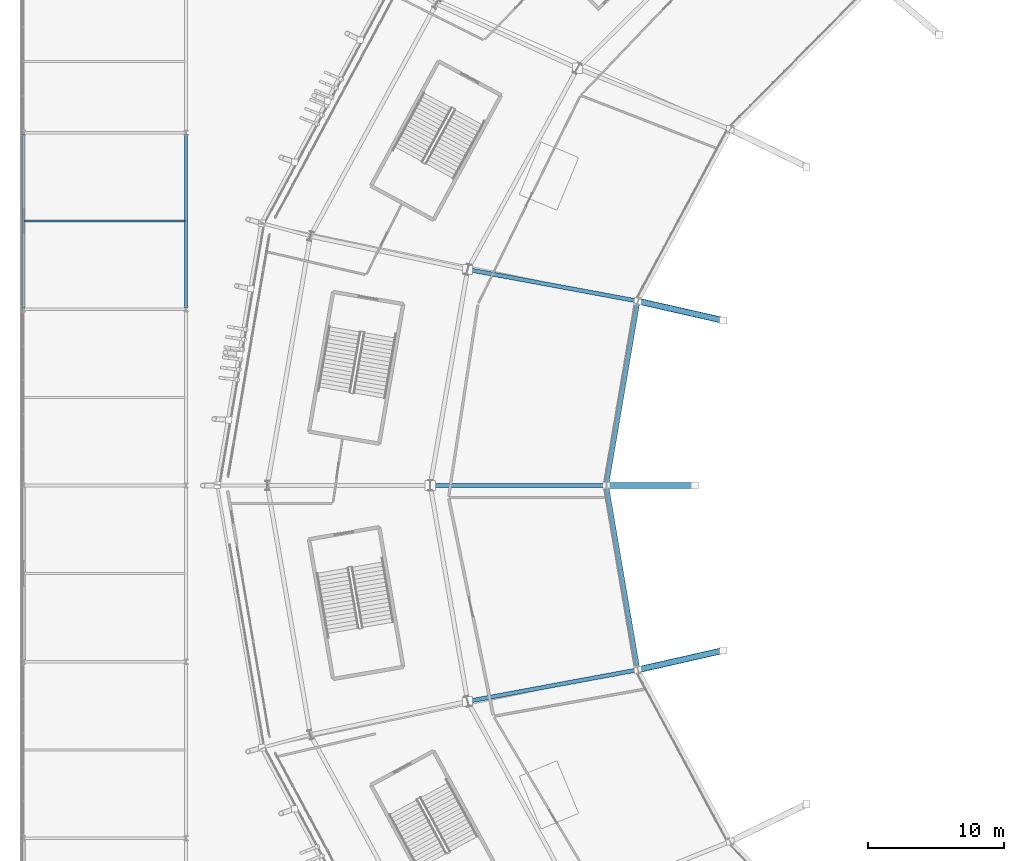
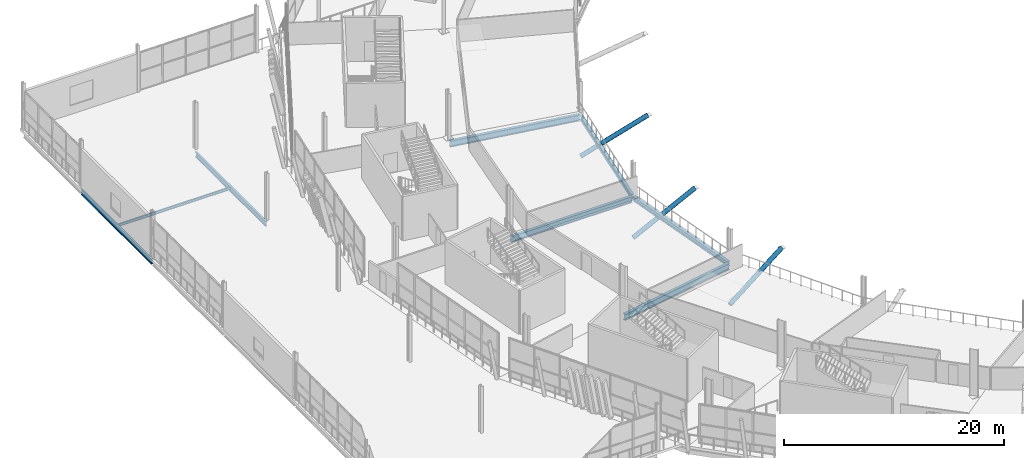
# One storey, part 39 of 168: 8 beams, 3 members.
"""IFC4 building model written with IfcOpenShell, lengths in metres."""

import ifcopenshell
import ifcopenshell.guid

model = None  # the IFC model being written
_history = None  # IfcOwnerHistory: only IFC2X3 demands one
_inside = {}  # id of a spatial element -> (the spatial element, [elements in it])
_under = {}  # id of a project, library or spatial element -> (it, [spatial elements below it])
_declared = {}  # id of a project -> (the project, [libraries it declares])
_typed = {}  # id of a type object -> (the type object, [elements of that type])
_made_of = {}  # id of a material, layer set ... -> (it, [elements and type objects made of it])


def new_model(schema):
    """Start an empty IFC model of exactly this schema.

    Asked for "IFC4X3", IfcOpenShell would pick the latest addendum, in which some entities
    have other attributes; the version numbers below select the first issue.
    IFC2X3 requires an IfcOwnerHistory on every rooted entity: one is made here for all.
    """
    global model, _history
    if schema == "IFC4X3":
        model = ifcopenshell.file(schema_version=(4, 3, 0, 0))
    else:
        model = ifcopenshell.file(schema=schema)
    _inside.clear()
    _under.clear()
    _declared.clear()
    _typed.clear()
    _made_of.clear()
    _history = None
    if model.schema == "IFC2X3":
        org = make("IfcOrganization", Name="unknown")
        user = make(
            "IfcPersonAndOrganization",
            ThePerson=make("IfcPerson", FamilyName="unknown"),
            TheOrganization=org,
        )
        app = make(
            "IfcApplication",
            ApplicationDeveloper=org,
            Version="unknown",
            ApplicationFullName="unknown",
            ApplicationIdentifier="unknown",
        )
        _history = make(
            "IfcOwnerHistory",
            OwningUser=user,
            OwningApplication=app,
            ChangeAction="ADDED",
            CreationDate=0,
        )
    return model


def make(cls, **values):
    """One entity of the class cls with the attributes given. An attribute that is None is left unset."""
    return model.create_entity(
        cls, **{name: value for name, value in values.items() if value is not None}
    )


def rooted(cls, **values):
    """An entity with a GlobalId (a new one), such as an element, a storey or a relation."""
    return make(cls, GlobalId=ifcopenshell.guid.new(), OwnerHistory=_history, **values)


def si_unit(unit_type, name, prefix=None):
    """IfcSIUnit, for example si_unit("LENGTHUNIT", "METRE", prefix="MILLI")."""
    return make("IfcSIUnit", UnitType=unit_type, Prefix=prefix, Name=name)


def assignment(units):
    """IfcUnitAssignment: the units of a project."""
    return None if units is None else make("IfcUnitAssignment", Units=units)


def point(xyz):
    """IfcCartesianPoint."""
    return None if xyz is None else make("IfcCartesianPoint", Coordinates=xyz)


def direction(xyz):
    """IfcDirection."""
    return None if xyz is None else make("IfcDirection", DirectionRatios=xyz)


def frame(location, z_axis=None, x_axis=None):
    """IfcAxis2Placement3D, a coordinate frame: its origin and axes. An axis left out is left unset."""
    return make(
        "IfcAxis2Placement3D",
        Location=point(location),
        Axis=direction(z_axis),
        RefDirection=direction(x_axis),
    )


def frame_2d(location, x_axis=None):
    """IfcAxis2Placement2D, a coordinate frame in the plane: its origin and x axis."""
    return make(
        "IfcAxis2Placement2D", Location=point(location), RefDirection=direction(x_axis)
    )


def origin():
    """The frame at (0, 0, 0) with its axes left unset."""
    return frame((0.0, 0.0, 0.0))


def origin_2d():
    """The frame at (0, 0) in the plane with its x axis left unset."""
    return frame_2d((0.0, 0.0))


def place(relative_to, where):
    """IfcLocalPlacement: puts the frame where relative to a parent placement (None: the world)."""
    return make(
        "IfcLocalPlacement", PlacementRelTo=relative_to, RelativePlacement=where
    )


def context(
    kind, dimensions, precision=None, world=None, true_north=None, identifier=None
):
    """IfcGeometricRepresentationContext, for example the 3D "Model" context."""
    return make(
        "IfcGeometricRepresentationContext",
        ContextIdentifier=identifier,
        ContextType=kind,
        CoordinateSpaceDimension=dimensions,
        Precision=precision,
        WorldCoordinateSystem=world,
        TrueNorth=true_north,
    )


def subcontext(parent, identifier, kind, view, scale=None):
    """IfcGeometricRepresentationSubContext, for example "Body" below "Model"."""
    return make(
        "IfcGeometricRepresentationSubContext",
        ContextIdentifier=identifier,
        ContextType=kind,
        ParentContext=parent,
        TargetScale=scale,
        TargetView=view,
    )


def project(units=None, contexts=None):
    """IfcProject with its units and contexts."""
    return rooted(
        "IfcProject",
        Name="project",
        RepresentationContexts=contexts,
        UnitsInContext=assignment(units),
    )


def spatial(cls, under=None, at=None, **own):
    """A site, building, storey or space (cls), placed at a placement, below another one or the project."""
    s = rooted(cls, ObjectPlacement=at, **own)
    if under is not None:
        _under.setdefault(under.id(), (under, []))[1].append(s)
    return s


def profile(cls, at=None, kind="AREA", **sizes):
    """A parametric profile (cls). Its sizes go by their IFC names, for example OverallWidth=200.0."""
    return make(cls, ProfileType=kind, Position=at, **sizes)


def hollow_circle(**sizes):
    """IfcCircleHollowProfileDef."""
    return profile("IfcCircleHollowProfileDef", **sizes)


def i_section(**sizes):
    """IfcIShapeProfileDef."""
    return profile("IfcIShapeProfileDef", **sizes)


def extrude(swept, where, along, depth):
    """IfcExtrudedAreaSolid: the profile swept, set in the frame where, extruded along a direction by depth."""
    return make(
        "IfcExtrudedAreaSolid",
        SweptArea=swept,
        Position=where,
        ExtrudedDirection=direction(along),
        Depth=depth,
    )


def shape(context_of_items, identifier, shape_type, items):
    """IfcShapeRepresentation: the items that make up one representation, for example the "Body"."""
    return make(
        "IfcShapeRepresentation",
        ContextOfItems=context_of_items,
        RepresentationIdentifier=identifier,
        RepresentationType=shape_type,
        Items=items,
    )


def material(Name=None, Category=None):
    """IfcMaterial."""
    return make("IfcMaterial", Name=Name, Category=Category)


def material_profile(
    of_material, cross_section, Name=None, Category=None, Priority=None
):
    """IfcMaterialProfile: a cross section and its material."""
    return make(
        "IfcMaterialProfile",
        Name=Name,
        Material=of_material,
        Profile=cross_section,
        Priority=Priority,
        Category=Category,
    )


def profile_set(profiles, Name=None, composite=None):
    """IfcMaterialProfileSet."""
    return make(
        "IfcMaterialProfileSet",
        Name=Name,
        MaterialProfiles=profiles,
        CompositeProfile=composite,
    )


def made_of(thing, what):
    """Note that an element or type object is made of a material, layer set ...; save() writes the relation."""
    if what is not None:
        _made_of.setdefault(what.id(), (what, []))[1].append(thing)
    return thing


def type_object(cls, material=None, **own):
    """A type object (cls), such as IfcWallType, which elements share."""
    return made_of(rooted(cls, **own), material)


def element(
    cls,
    number,
    at=None,
    inside=None,
    cuts=None,
    type_object=None,
    material=None,
    context=None,
    identifier="Body",
    shape_type=None,
    held_by="IfcProductDefinitionShape",
    body=None,
    shapes=None,
    **own,
):
    """One element of the class cls, such as IfcWall. Its Tag is "e" and its number.

    at: its placement. inside: the storey or other place that contains it. cuts: it is an
    opening in that element (IfcRelVoidsElement). A single representation is given by context,
    identifier, shape_type and body (its items); several are given by shapes. held_by: the class
    of the entity that holds the representations. save() writes the other relations.
    """
    e = rooted(cls, Tag="e%d" % number, ObjectPlacement=at, **own)
    if body is not None:
        shapes = [shape(context, identifier, shape_type, body)]
    if shapes is not None:
        e.Representation = make(held_by, Representations=shapes)
    if inside is not None:
        _inside.setdefault(inside.id(), (inside, []))[1].append(e)
    if cuts is not None:
        rooted(
            "IfcRelVoidsElement", RelatingBuildingElement=cuts, RelatedOpeningElement=e
        )
    if type_object is not None:
        _typed.setdefault(type_object.id(), (type_object, []))[1].append(e)
    return made_of(e, material)


def aggregate(whole, parts):
    """IfcRelAggregates: a whole, such as a stair, and the parts it consists of."""
    return rooted("IfcRelAggregates", RelatingObject=whole, RelatedObjects=parts)


def save(model, path):
    """Write the relations noted so far, then the file.

    IfcRelAggregates (storeys below a building ...), IfcRelContainedInSpatialStructure (elements
    in a storey), IfcRelDefinesByType, IfcRelAssociatesMaterial and IfcRelDeclares: one each for
    every whole, place, type object, material and project.
    """
    for whole, parts in _under.values():
        aggregate(whole, parts)
    for where, things in _inside.values():
        rooted(
            "IfcRelContainedInSpatialStructure",
            RelatedElements=things,
            RelatingStructure=where,
        )
    for kind, things in _typed.values():
        rooted("IfcRelDefinesByType", RelatedObjects=things, RelatingType=kind)
    for what, things in _made_of.values():
        rooted("IfcRelAssociatesMaterial", RelatedObjects=things, RelatingMaterial=what)
    for by, libraries in _declared.values():
        rooted("IfcRelDeclares", RelatingContext=by, RelatedDefinitions=libraries)
    model.write(path)


model = new_model("IFC4")

# Units and contexts
model_context = context("Model", 3, precision=1e-05, world=origin(), true_north=direction((0.0, 1.0)))
body_context = subcontext(model_context, "Body", "Model", "MODEL_VIEW")
ifc_project = project(units=[si_unit("LENGTHUNIT", "METRE"), si_unit("AREAUNIT", "SQUARE_METRE"), si_unit("VOLUMEUNIT", "CUBIC_METRE"), si_unit("PLANEANGLEUNIT", "RADIAN"), si_unit("MASSUNIT", "GRAM", prefix="KILO")], contexts=[model_context])

# Site, building, storey
site_placement = place(None, origin())
site = spatial("IfcSite", under=ifc_project, at=site_placement, CompositionType="ELEMENT")
building_placement = place(site_placement, origin())
building = spatial("IfcBuilding", under=site, at=building_placement, Name="Zlatoyarsky Gate Stadium", CompositionType="ELEMENT")
storey_placement = place(building_placement, frame((0.0, 0.0, 15.60009765625)))
storey = spatial("IfcBuildingStorey", under=building, at=storey_placement, Name="L03", CompositionType="ELEMENT", Elevation=15.60009765625)

# Members
ifc_material = material(Name="Steel S355", Category="steel")
ifc_material_profile_1 = material_profile(ifc_material, hollow_circle(Radius=0.228515625, WallThickness=0.02490234375, at=origin_2d()), Name="CHS 457X25")
ifc_profile_set_1 = profile_set([ifc_material_profile_1], Name="Steel S355")
member_type = type_object("IfcMemberType", Name="STEEL BACKSPAN TIE STRUT CHS 457X25", PredefinedType="STRUT", material=ifc_profile_set_1)
member_1_placement = place(storey_placement, frame((45.31689453125, 93.587890625, -5.0), z_axis=(0.870615032225, -0.197359267356, 0.450642635857), x_axis=(0.221080190505, 0.97525563283, 0.0)))
element("IfcMember", 1, at=member_1_placement, inside=storey, type_object=member_type, Name="Upper tier cantilever strut 11", PredefinedType="STRUT", context=body_context, shape_type="SweptSolid", body=[
    extrude(hollow_circle(Radius=0.228515625, WallThickness=0.02490234375, at=origin_2d()), origin(), (0.0, 0.0, 1.0), 7.2119140625),
])
member_2_placement = place(storey_placement, frame((43.0, 80.0, -5.0), z_axis=(0.894427191, 0.0, 0.4472135955), x_axis=(0.0, 1.0, 0.0)))
element("IfcMember", 2, at=member_2_placement, inside=storey, type_object=member_type, Name="Upper tier cantilever strut 12", PredefinedType="STRUT", context=body_context, shape_type="SweptSolid", body=[
    extrude(hollow_circle(Radius=0.228515625, WallThickness=0.02490234375, at=origin_2d()), origin(), (0.0, 0.0, 1.0), 7.267333984375),
])
member_3_placement = place(storey_placement, frame((45.31689453125, 66.412109375, -5.0), z_axis=(0.870615032225, 0.197359267356, 0.450642635857), x_axis=(-0.221080190505, 0.97525563283, 0.0)))
element("IfcMember", 3, at=member_3_placement, inside=storey, type_object=member_type, Name="Upper tier cantilever strut 13", PredefinedType="STRUT", context=body_context, shape_type="SweptSolid", body=[
    extrude(hollow_circle(Radius=0.228515625, WallThickness=0.02490234375, at=origin_2d()), origin(), (0.0, 0.0, 1.0), 7.2119140625),
])

# Beams
ifc_material_profile_2 = material_profile(ifc_material, i_section(OverallWidth=0.2099609375, OverallDepth=0.550048828125, WebThickness=0.010986328125, FlangeThickness=0.01708984375, FilletRadius=0.02392578125, at=origin_2d()), Name="IPE 550")
ifc_profile_set_2 = profile_set([ifc_material_profile_2], Name="Steel S355")
beam_type_1 = type_object("IfcBeamType", Name="STEEL FLOOR BEAM IPE 550", PredefinedType="BEAM", material=ifc_profile_set_2)
for number, where, z_axis, x_axis, name in (
    (4, (0.0, 93.080078125, -0.55517578125), (0.0, 1.0, 0.0), (-1.0, 0.0, 0.0), "Beam B-IPE550 BM-L03-WGY-1-J"),
    (5, (12.0, 93.080078125, -0.55517578125), (0.0, 1.0, 0.0), (-1.0, 0.0, 0.0), "Beam B-IPE550 BM-L03-WGY-2-J"),
):
    element("IfcBeam", number, at=place(storey_placement, frame(where, z_axis=z_axis, x_axis=x_axis)), inside=storey, type_object=beam_type_1, Name=name, PredefinedType="BEAM", context=body_context, shape_type="SweptSolid", body=[
        extrude(i_section(OverallWidth=0.2099609375, OverallDepth=0.550048828125, WebThickness=0.010986328125, FlangeThickness=0.01708984375, FilletRadius=0.02392578125, at=origin_2d()), origin(), (0.0, 0.0, 1.0), 12.83984375),
    ])
ifc_material_profile_3 = material_profile(ifc_material, i_section(OverallWidth=0.300048828125, OverallDepth=0.5, WebThickness=0.014404296875, FlangeThickness=0.028076171875, FilletRadius=0.027099609375, at=origin_2d()), Name="HEB 500")
ifc_profile_set_3 = profile_set([ifc_material_profile_3], Name="Steel S355")
beam_type_2 = type_object("IfcBeamType", Name="STEEL PRIMARY GIRDER HEB 500", PredefinedType="BEAM", material=ifc_profile_set_3)
for number, where, z_axis, x_axis, name in (
    (6, (45.296875, 93.4697265625, -0.530029296875), (-0.168089694981, -0.985771705032, 0.0), (0.985771705032, -0.168089694981, 0.0), "Beam G-HEB500 BM-L03-CRA-11"),
    (7, (43.020263671875, 79.881591796875, -0.530029296875), (0.168089694981, -0.985771705032, 0.0), (0.985771705032, 0.168089694981, 0.0), "Beam G-HEB500 BM-L03-CRA-12"),
):
    element("IfcBeam", number, at=place(storey_placement, frame(where, z_axis=z_axis, x_axis=x_axis)), inside=storey, type_object=beam_type_2, Name=name, PredefinedType="BEAM", context=body_context, shape_type="SweptSolid", body=[
        extrude(i_section(OverallWidth=0.300048828125, OverallDepth=0.5, WebThickness=0.014404296875, FlangeThickness=0.028076171875, FilletRadius=0.027099609375, at=origin_2d()), origin(), (0.0, 0.0, 1.0), 13.5439453125),
    ])
ifc_material_profile_4 = material_profile(ifc_material, i_section(OverallWidth=0.300048828125, OverallDepth=0.699951171875, WebThickness=0.01708984375, FlangeThickness=0.031982421875, FilletRadius=0.027099609375, at=origin_2d()), Name="HEB 700")
ifc_profile_set_4 = profile_set([ifc_material_profile_4], Name="Steel S355")
beam_type_3 = type_object("IfcBeamType", Name="STEEL PRIMARY GIRDER HEB 700", PredefinedType="BEAM", material=ifc_profile_set_4)
beam_1_placement = place(storey_placement, frame((45.198974609375, 93.60986328125, -0.630126953125), z_axis=(-0.98322524088, 0.182395519946, 0.0), x_axis=(-0.182395519946, -0.98322524088, 0.0)))
element("IfcBeam", 8, at=beam_1_placement, inside=storey, type_object=beam_type_3, Name="Beam G-HEB700 BM-L03-RAB-11", PredefinedType="BEAM", context=body_context, shape_type="SweptSolid", body=[
    extrude(i_section(OverallWidth=0.300048828125, OverallDepth=0.699951171875, WebThickness=0.01708984375, FlangeThickness=0.031982421875, FilletRadius=0.027099609375, at=origin_2d()), origin(), (0.0, 0.0, 1.0), 12.53125),
])
beam_2_placement = place(storey_placement, frame((42.8798828125, 80.0, -0.630126953125), z_axis=(-1.0, 0.0, 0.0), x_axis=(0.0, -1.0, 0.0)))
element("IfcBeam", 9, at=beam_2_placement, inside=storey, type_object=beam_type_3, Name="Beam G-HEB700 BM-L03-RAB-12", PredefinedType="BEAM", context=body_context, shape_type="SweptSolid", body=[
    extrude(i_section(OverallWidth=0.300048828125, OverallDepth=0.699951171875, WebThickness=0.01708984375, FlangeThickness=0.031982421875, FilletRadius=0.027099609375, at=origin_2d()), origin(), (0.0, 0.0, 1.0), 12.759765625),
])
beam_3_placement = place(storey_placement, frame((45.198974609375, 66.39013671875, -0.630126953125), z_axis=(-0.98322524088, -0.182395519946, 0.0), x_axis=(0.182395519946, -0.98322524088, 0.0)))
element("IfcBeam", 10, at=beam_3_placement, inside=storey, type_object=beam_type_3, Name="Beam G-HEB700 BM-L03-RAB-13", PredefinedType="BEAM", context=body_context, shape_type="SweptSolid", body=[
    extrude(i_section(OverallWidth=0.300048828125, OverallDepth=0.699951171875, WebThickness=0.01708984375, FlangeThickness=0.031982421875, FilletRadius=0.027099609375, at=origin_2d()), origin(), (0.0, 0.0, 1.0), 12.53125),
])
ifc_material_profile_5 = material_profile(ifc_material, i_section(OverallWidth=0.14990234375, OverallDepth=0.300048828125, WebThickness=0.007080078125, FlangeThickness=0.0107421875, FilletRadius=0.014892578125, at=origin_2d()), Name="IPE 300")
ifc_profile_set_5 = profile_set([ifc_material_profile_5], Name="Steel S355")
beam_type_4 = type_object("IfcBeamType", Name="STEEL SECONDARY JOIST IPE 300", PredefinedType="JOIST", material=ifc_profile_set_5)
beam_4_placement = place(storey_placement, frame((0.090087890625, 99.5, -0.43017578125), z_axis=(1.0, 0.0, 0.0), x_axis=(0.0, 1.0, 0.0)))
element("IfcBeam", 11, at=beam_4_placement, inside=storey, type_object=beam_type_4, Name="Beam J-IPE300 JST-L03-1-J", PredefinedType="JOIST", context=body_context, shape_type="SweptSolid", body=[
    extrude(i_section(OverallWidth=0.14990234375, OverallDepth=0.300048828125, WebThickness=0.007080078125, FlangeThickness=0.0107421875, FilletRadius=0.014892578125, at=origin_2d()), origin(), (0.0, 0.0, 1.0), 11.81982421875),
])

save(model, "model.ifc")
